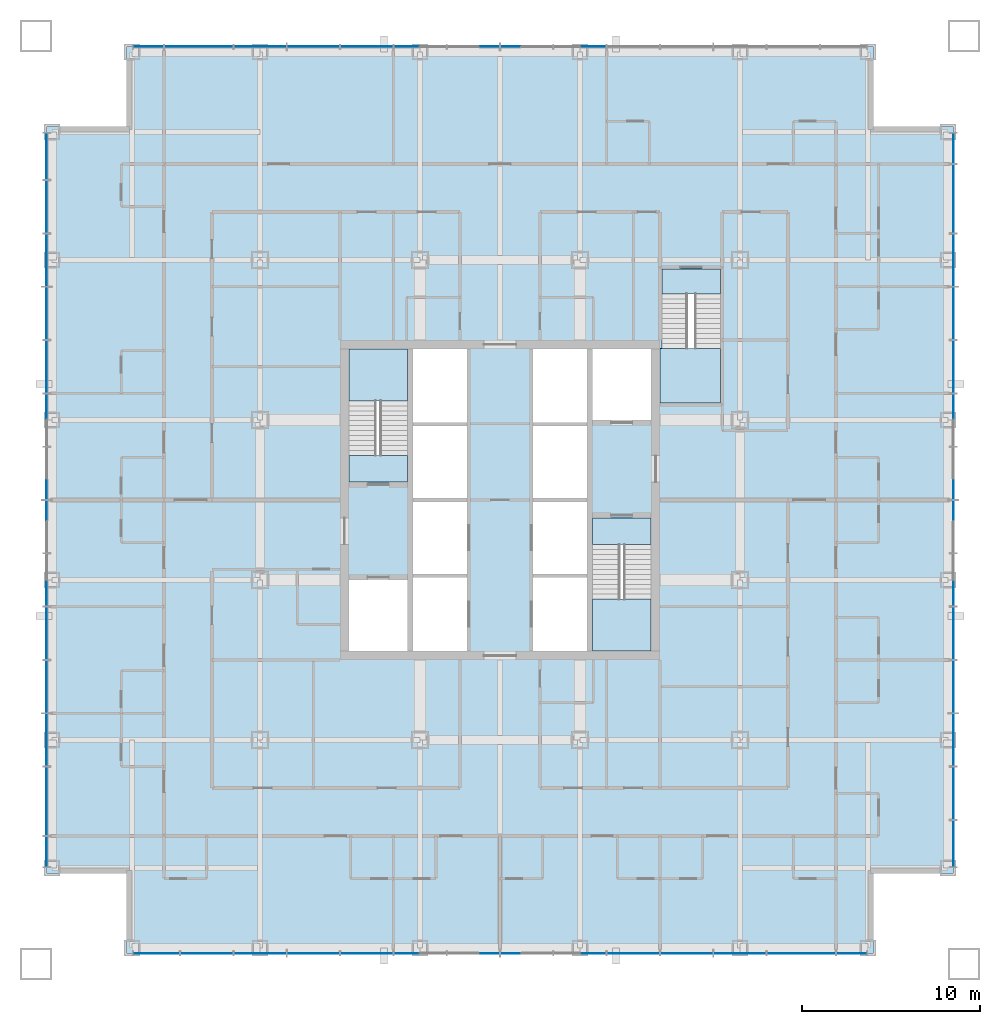
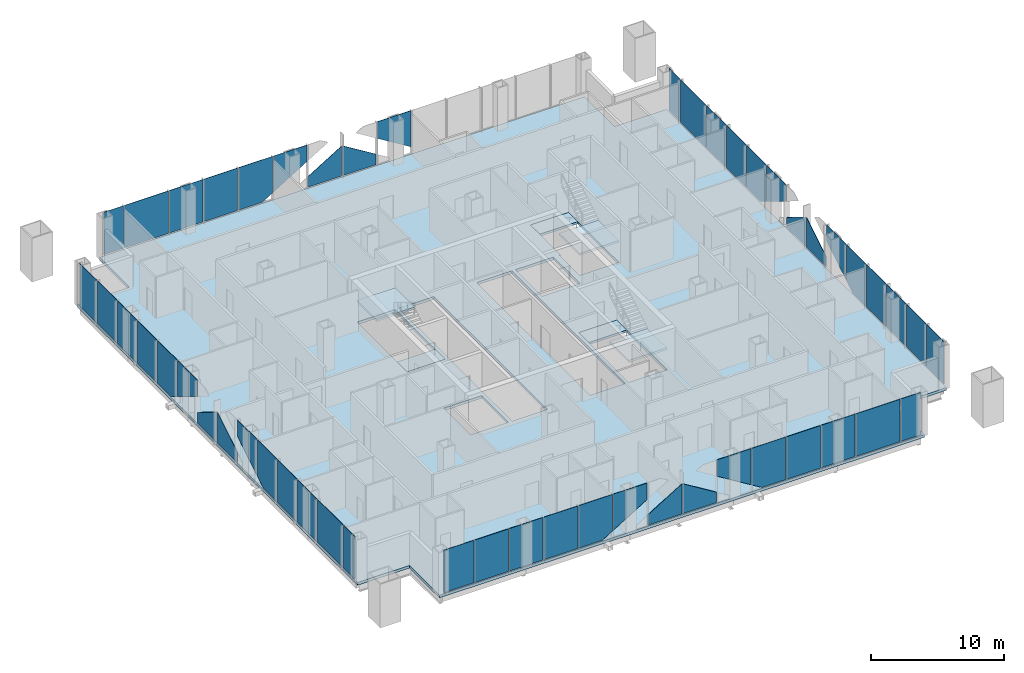
# One storey, part 6 of 13: 51 plates, 7 slabs, 7 elements without a shape of their own.
"""IFC4 building model written with IfcOpenShell, lengths in metres."""

from ifc_helpers import new_model, si_unit, direction, frame, origin, origin_2d, place, context, subcontext, project, spatial, polyline, rectangle, outline, extrude, material, layer, layer_set, type_object, element, aggregate, save


model = new_model("IFC4")

# Units and contexts
model_context = context("Model", 3, precision=1e-05, world=origin(), true_north=direction((0.0, 1.0)))
body_context = subcontext(model_context, "Body", "Model", "MODEL_VIEW")
ifc_project = project(units=[si_unit("LENGTHUNIT", "METRE"), si_unit("AREAUNIT", "SQUARE_METRE"), si_unit("VOLUMEUNIT", "CUBIC_METRE"), si_unit("PLANEANGLEUNIT", "RADIAN"), si_unit("MASSUNIT", "GRAM", prefix="KILO")], contexts=[model_context])

# Site, building, storey
site_placement = place(None, origin())
site = spatial("IfcSite", under=ifc_project, at=site_placement, CompositionType="ELEMENT")
building_placement = place(site_placement, origin())
building = spatial("IfcBuilding", under=site, at=building_placement, Name="Malebo Sky Hospital", CompositionType="ELEMENT")
storey_placement = place(building_placement, frame((0.0, 0.0, 75.0)))
storey = spatial("IfcBuildingStorey", under=building, at=storey_placement, Name="L17", CompositionType="ELEMENT", Elevation=75.0)

# Slab
ifc_material_1 = material(Name="Concrete C40/50", Category="concrete")
ifc_layer_1 = layer(ifc_material_1, 0.25)
ifc_layer_set_1 = layer_set([ifc_layer_1], Name="COMPOSITE FLOOR SLAB 250")
slab_type_1 = type_object("IfcSlabType", Name="COMPOSITE FLOOR SLAB 250", PredefinedType="FLOOR", material=ifc_layer_set_1)
slab_1_placement = place(storey_placement, frame((0.0, 0.0, -0.25)))
element("IfcSlab", 1, at=slab_1_placement, inside=storey, type_object=slab_type_1, Name="Floor slab L17", PredefinedType="FLOOR", context=body_context, shape_type="SweptSolid", body=[
    extrude(outline(polyline([(39.0, 87.5), (39.0, 83.0), (34.5, 83.0), (34.5, 41.0), (39.0, 41.0), (39.0, 36.5), (81.0, 36.5), (81.0, 41.0), (85.5, 41.0), (85.5, 83.0), (81.0, 83.0), (81.0, 87.5), (39.0, 87.5)]), holes=[polyline([(55.10009765625, 70.5), (58.14990234375, 70.5), (58.14990234375, 53.5), (55.10009765625, 53.5), (55.10009765625, 70.5)]), polyline([(64.89990234375, 70.5), (64.89990234375, 53.5), (61.85009765625, 53.5), (61.85009765625, 70.5), (64.89990234375, 70.5)]), polyline([(54.800048828125, 63.0), (51.5, 63.0), (51.5, 70.5), (54.800048828125, 70.5), (54.800048828125, 63.0)]), polyline([(51.5, 53.5), (51.5, 57.5), (54.800048828125, 57.5), (54.800048828125, 53.5), (51.5, 53.5)]), polyline([(65.199951171875, 61.0), (68.5, 61.0), (68.5, 53.5), (65.199951171875, 53.5), (65.199951171875, 61.0)]), polyline([(68.5, 70.5), (68.5, 66.5), (65.199951171875, 66.5), (65.199951171875, 70.5), (68.5, 70.5)]), polyline([(69.0, 67.449951171875), (69.0, 70.52001953125), (69.10009765625, 70.52001953125), (69.10009765625, 75.0), (72.39990234375, 75.0), (72.39990234375, 67.449951171875), (69.10009765625, 67.449951171875), (69.0, 67.449951171875)])]), origin(), (0.0, 0.0, 1.0), 0.25),
])

# Stair, slabs
stair_type_1 = type_object("IfcStairType", Name="HALF-TURN STAIR 1500 R167", PredefinedType="HALF_TURN_STAIR", material=ifc_material_1)
stair_1_placement = place(storey_placement, origin())
stair_1 = element("IfcStair", 2, at=stair_1_placement, inside=storey, type_object=stair_type_1, Name="Stair S1 L17 type ST1", PredefinedType="HALF_TURN_STAIR")
ifc_layer_2 = layer(ifc_material_1, 0.199951171875)
ifc_layer_set_2 = layer_set([ifc_layer_2], Name="STAIR LANDING 200")
slab_type_2 = type_object("IfcSlabType", Name="STAIR LANDING 200", PredefinedType="LANDING", material=ifc_layer_set_2)
slab_2_placement = place(storey_placement, frame((0.0, 0.0, -0.199951171875)))
slab_2 = element("IfcSlab", 3, at=slab_2_placement, type_object=slab_type_2, Name="S1 landing 1", PredefinedType="LANDING", context=body_context, shape_type="SweptSolid", body=[
    extrude(outline(polyline([(51.5, 63.0), (54.800048828125, 63.0), (54.800048828125, 64.5), (51.5, 64.5), (51.5, 63.0)])), origin(), (0.0, 0.0, 1.0), 0.199951171875),
])
slab_3_placement = place(storey_placement, frame((0.0, 0.0, 1.800048828125)))
slab_3 = element("IfcSlab", 4, at=slab_3_placement, type_object=slab_type_2, Name="S1 landing 2", PredefinedType="LANDING", context=body_context, shape_type="SweptSolid", body=[
    extrude(outline(polyline([(51.5, 67.580078125), (54.800048828125, 67.580078125), (54.800048828125, 70.5), (51.5, 70.5), (51.5, 67.580078125)])), origin(), (0.0, 0.0, 1.0), 0.199951171875),
])
aggregate(stair_1, [slab_2, slab_3])

stair_2_placement = place(storey_placement, origin())
stair_2 = element("IfcStair", 5, at=stair_2_placement, inside=storey, type_object=stair_type_1, Name="Stair S2 L17 type ST1", PredefinedType="HALF_TURN_STAIR")
slab_4_placement = place(storey_placement, frame((0.0, 0.0, -0.199951171875)))
slab_4 = element("IfcSlab", 6, at=slab_4_placement, type_object=slab_type_2, Name="S2 landing 1", PredefinedType="LANDING", context=body_context, shape_type="SweptSolid", body=[
    extrude(outline(polyline([(65.199951171875, 59.5), (68.5, 59.5), (68.5, 61.0), (65.199951171875, 61.0), (65.199951171875, 59.5)])), origin(), (0.0, 0.0, 1.0), 0.199951171875),
])
slab_5_placement = place(storey_placement, frame((0.0, 0.0, 1.800048828125)))
slab_5 = element("IfcSlab", 7, at=slab_5_placement, type_object=slab_type_2, Name="S2 landing 2", PredefinedType="LANDING", context=body_context, shape_type="SweptSolid", body=[
    extrude(outline(polyline([(65.199951171875, 53.5), (68.5, 53.5), (68.5, 56.419921875), (65.199951171875, 56.419921875), (65.199951171875, 53.5)])), origin(), (0.0, 0.0, 1.0), 0.199951171875),
])
aggregate(stair_2, [slab_4, slab_5])

stair_type_2 = type_object("IfcStairType", Name="HALF-TURN STAIR 1400 R167", PredefinedType="HALF_TURN_STAIR", material=ifc_material_1)
stair_3_placement = place(storey_placement, origin())
stair_3 = element("IfcStair", 8, at=stair_3_placement, inside=storey, type_object=stair_type_2, Name="Stair S3 L17 type ST1B", PredefinedType="HALF_TURN_STAIR")
slab_6_placement = place(storey_placement, frame((0.0, 0.0, -0.199951171875)))
slab_6 = element("IfcSlab", 9, at=slab_6_placement, type_object=slab_type_2, Name="S3 landing 1", PredefinedType="LANDING", context=body_context, shape_type="SweptSolid", body=[
    extrude(outline(polyline([(69.10009765625, 73.60009765625), (72.39990234375, 73.60009765625), (72.39990234375, 75.0), (69.10009765625, 75.0), (69.10009765625, 73.60009765625)])), origin(), (0.0, 0.0, 1.0), 0.199951171875),
])
slab_7_placement = place(storey_placement, frame((0.0, 0.0, 1.800048828125)))
slab_7 = element("IfcSlab", 10, at=slab_7_placement, type_object=slab_type_2, Name="S3 landing 2", PredefinedType="LANDING", context=body_context, shape_type="SweptSolid", body=[
    extrude(outline(polyline([(69.0, 67.449951171875), (72.39990234375, 67.449951171875), (72.39990234375, 70.52001953125), (69.0, 70.52001953125), (69.0, 67.449951171875)])), origin(), (0.0, 0.0, 1.0), 0.199951171875),
])
aggregate(stair_3, [slab_6, slab_7])

# Curtain wall, plates
ifc_material_2 = material(Name="Anodised aluminium, natural silver", Category="aluminium")
ifc_layer_3 = layer(ifc_material_2, 0.25)
ifc_layer_set_3 = layer_set([ifc_layer_3], Name="WARD CURTAIN WALL NORTH AND SOUTH")
curtain_wall_type_1 = type_object("IfcCurtainWallType", Name="WARD CURTAIN WALL NORTH AND SOUTH", PredefinedType="NOTDEFINED", material=ifc_layer_set_3)
curtain_wall_1_placement = place(storey_placement, origin())
curtain_wall_1 = element("IfcCurtainWall", 11, at=curtain_wall_1_placement, inside=storey, type_object=curtain_wall_type_1, Name="NS curtain wall N", PredefinedType="NOTDEFINED")
ifc_material_3 = material(Name="Clear low-iron double glazing", Category="glass")
ifc_layer_4 = layer(ifc_material_3, 0.031982421875)
ifc_layer_set_4 = layer_set([ifc_layer_4], Name="VISION PANEL CLEAR 32")
plate_type = type_object("IfcPlateType", Name="VISION PANEL CLEAR 32", PredefinedType="CURTAIN_PANEL", material=ifc_layer_set_4)
plate_1_placement = place(storey_placement, frame((40.21875, 87.5, 0.10009765625), z_axis=(0.0, 0.0, 1.0), x_axis=(1.0, 0.0, 0.0)))
plate_1 = element("IfcPlate", 12, at=plate_1_placement, type_object=plate_type, Name="Panel 1", PredefinedType="CURTAIN_PANEL", context=body_context, shape_type="SweptSolid", body=[
    extrude(rectangle(XDim=1.6875, YDim=0.031982421875, at=origin_2d()), origin(), (0.0, 0.0, 1.0), 3.889892578125),
])
plate_2_placement = place(storey_placement, frame((43.050048828125, 87.5, 0.10009765625), z_axis=(0.0, 0.0, 1.0), x_axis=(1.0, 0.0, 0.0)))
plate_2 = element("IfcPlate", 13, at=plate_2_placement, type_object=plate_type, Name="Panel 2", PredefinedType="CURTAIN_PANEL", context=body_context, shape_type="SweptSolid", body=[
    extrude(rectangle(XDim=3.824951171875, YDim=0.031982421875, at=origin_2d()), origin(), (0.0, 0.0, 1.0), 3.889892578125),
])
plate_3_placement = place(storey_placement, frame((46.5, 87.5, 0.10009765625), z_axis=(0.0, 0.0, 1.0), x_axis=(1.0, 0.0, 0.0)))
plate_3 = element("IfcPlate", 14, at=plate_3_placement, type_object=plate_type, Name="Panel 3", PredefinedType="CURTAIN_PANEL", context=body_context, shape_type="SweptSolid", body=[
    extrude(rectangle(XDim=2.925048828125, YDim=0.031982421875, at=origin_2d()), origin(), (0.0, 0.0, 1.0), 3.889892578125),
])
plate_4_placement = place(storey_placement, frame((49.5, 87.5, 0.10009765625), z_axis=(0.0, 0.0, 1.0), x_axis=(1.0, 0.0, 0.0)))
plate_4 = element("IfcPlate", 15, at=plate_4_placement, type_object=plate_type, Name="Panel 4", PredefinedType="CURTAIN_PANEL", context=body_context, shape_type="SweptSolid", body=[
    extrude(rectangle(XDim=2.925048828125, YDim=0.031982421875, at=origin_2d()), origin(), (0.0, 0.0, 1.0), 3.889892578125),
])
plate_5_placement = place(storey_placement, frame((52.5, 87.5, 0.10009765625), z_axis=(0.0, 0.0, 1.0), x_axis=(1.0, 0.0, 0.0)))
plate_5 = element("IfcPlate", 16, at=plate_5_placement, type_object=plate_type, Name="Panel 5", PredefinedType="CURTAIN_PANEL", context=body_context, shape_type="SweptSolid", body=[
    extrude(outline(polyline([(-1.46240234375, 0.0), (0.593505859375, 0.0), (1.46240234375, 0.53271484375), (1.46240234375, 3.889892578125), (-1.46240234375, 3.889892578125), (-1.46240234375, 0.0)])), frame((0.0, 0.01611328125, 0.0), z_axis=(0.0, -1.0, 0.0), x_axis=(1.0, 0.0, 0.0)), (0.0, 0.0, 1.0), 0.031982421875),
])
plate_6_placement = place(storey_placement, frame((55.5, 87.5, 0.6787109375), z_axis=(0.0, 0.0, 1.0), x_axis=(1.0, 0.0, 0.0)))
plate_6 = element("IfcPlate", 17, at=plate_6_placement, type_object=plate_type, Name="Panel 6", PredefinedType="CURTAIN_PANEL", context=body_context, shape_type="SweptSolid", body=[
    extrude(outline(polyline([(-1.46240234375, 0.0), (1.46240234375, 1.793212890625), (1.46240234375, 3.311279296875), (-1.46240234375, 3.311279296875), (-1.46240234375, 0.0)])), frame((0.0, 0.01611328125, 0.0), z_axis=(0.0, -1.0, 0.0), x_axis=(1.0, 0.0, 0.0)), (0.0, 0.0, 1.0), 0.031982421875),
])
plate_7_placement = place(storey_placement, frame((58.5, 87.5, 0.10009765625), z_axis=(0.0, 0.0, 1.0), x_axis=(1.0, 0.0, 0.0)))
plate_7 = element("IfcPlate", 18, at=plate_7_placement, type_object=plate_type, Name="Panel 7", PredefinedType="CURTAIN_PANEL", context=body_context, shape_type="SweptSolid", body=[
    extrude(outline(polyline([(-1.46240234375, 0.0), (1.46240234375, 0.0), (1.46240234375, 2.743408203125), (-1.46240234375, 0.9501953125), (-1.46240234375, 0.0)])), frame((0.0, 0.01611328125, 0.0), z_axis=(0.0, -1.0, 0.0), x_axis=(1.0, 0.0, 0.0)), (0.0, 0.0, 1.0), 0.031982421875),
])
plate_8_placement = place(storey_placement, frame((61.5, 87.5, 0.10009765625), z_axis=(0.0, 0.0, 1.0), x_axis=(1.0, 0.0, 0.0)))
plate_8 = element("IfcPlate", 19, at=plate_8_placement, type_object=plate_type, Name="Panel 8", PredefinedType="CURTAIN_PANEL", context=body_context, shape_type="SweptSolid", body=[
    extrude(outline(polyline([(-1.46240234375, 0.0), (1.46240234375, 0.0), (1.46240234375, 0.9501953125), (-1.46240234375, 2.743408203125), (-1.46240234375, 0.0)])), frame((0.0, 0.01611328125, 0.0), z_axis=(0.0, -1.0, 0.0), x_axis=(1.0, 0.0, 0.0)), (0.0, 0.0, 1.0), 0.031982421875),
])
plate_9_placement = place(storey_placement, frame((64.5, 87.5, 0.6787109375), z_axis=(0.0, 0.0, 1.0), x_axis=(1.0, 0.0, 0.0)))
plate_9 = element("IfcPlate", 20, at=plate_9_placement, type_object=plate_type, Name="Panel 9", PredefinedType="CURTAIN_PANEL", context=body_context, shape_type="SweptSolid", body=[
    extrude(outline(polyline([(1.46240234375, 0.0), (1.46240234375, 3.311279296875), (-1.46240234375, 3.311279296875), (-1.46240234375, 1.793212890625), (1.46240234375, 0.0)])), frame((0.0, 0.01611328125, 0.0), z_axis=(0.0, -1.0, 0.0), x_axis=(1.0, 0.0, 0.0)), (0.0, 0.0, 1.0), 0.031982421875),
])
aggregate(curtain_wall_1, [plate_1, plate_2, plate_3, plate_4, plate_5, plate_6, plate_7, plate_8, plate_9])

ifc_layer_5 = layer(ifc_material_2, 0.25)
ifc_layer_set_5 = layer_set([ifc_layer_5], Name="WARD CURTAIN WALL EAST AND WEST")
curtain_wall_type_2 = type_object("IfcCurtainWallType", Name="WARD CURTAIN WALL EAST AND WEST", PredefinedType="NOTDEFINED", material=ifc_layer_set_5)
curtain_wall_2_placement = place(storey_placement, origin())
curtain_wall_2 = element("IfcCurtainWall", 21, at=curtain_wall_2_placement, inside=storey, type_object=curtain_wall_type_2, Name="EW curtain wall W", PredefinedType="NOTDEFINED")
plate_10_placement = place(storey_placement, frame((34.5, 42.21875, 0.10009765625), z_axis=(0.0, 0.0, 1.0), x_axis=(0.0, 1.0, 0.0)))
plate_10 = element("IfcPlate", 22, at=plate_10_placement, type_object=plate_type, Name="Panel 1", PredefinedType="CURTAIN_PANEL", context=body_context, shape_type="SweptSolid", body=[
    extrude(rectangle(XDim=1.6875, YDim=0.031982421875, at=origin_2d()), origin(), (0.0, 0.0, 1.0), 3.889892578125),
])
plate_11_placement = place(storey_placement, frame((34.5, 45.050048828125, 0.10009765625), z_axis=(0.0, 0.0, 1.0), x_axis=(0.0, 1.0, 0.0)))
plate_11 = element("IfcPlate", 23, at=plate_11_placement, type_object=plate_type, Name="Panel 2", PredefinedType="CURTAIN_PANEL", context=body_context, shape_type="SweptSolid", body=[
    extrude(rectangle(XDim=3.824951171875, YDim=0.031982421875, at=origin_2d()), origin(), (0.0, 0.0, 1.0), 3.889892578125),
])
plate_12_placement = place(storey_placement, frame((34.5, 48.5, 0.10009765625), z_axis=(0.0, 0.0, 1.0), x_axis=(0.0, 1.0, 0.0)))
plate_12 = element("IfcPlate", 24, at=plate_12_placement, type_object=plate_type, Name="Panel 3", PredefinedType="CURTAIN_PANEL", context=body_context, shape_type="SweptSolid", body=[
    extrude(rectangle(XDim=2.925048828125, YDim=0.031982421875, at=origin_2d()), origin(), (0.0, 0.0, 1.0), 3.889892578125),
])
plate_13_placement = place(storey_placement, frame((34.5, 51.5, 0.10009765625), z_axis=(0.0, 0.0, 1.0), x_axis=(0.0, 1.0, 0.0)))
plate_13 = element("IfcPlate", 25, at=plate_13_placement, type_object=plate_type, Name="Panel 4", PredefinedType="CURTAIN_PANEL", context=body_context, shape_type="SweptSolid", body=[
    extrude(rectangle(XDim=2.925048828125, YDim=0.031982421875, at=origin_2d()), origin(), (0.0, 0.0, 1.0), 3.889892578125),
])
plate_14_placement = place(storey_placement, frame((34.5, 54.5, 0.10009765625), z_axis=(0.0, 0.0, 1.0), x_axis=(0.0, 1.0, 0.0)))
plate_14 = element("IfcPlate", 26, at=plate_14_placement, type_object=plate_type, Name="Panel 5", PredefinedType="CURTAIN_PANEL", context=body_context, shape_type="SweptSolid", body=[
    extrude(outline(polyline([(-1.46240234375, 0.0), (0.593505859375, 0.0), (1.46240234375, 0.53271484375), (1.46240234375, 3.889892578125), (-1.46240234375, 3.889892578125), (-1.46240234375, 0.0)])), frame((0.0, 0.01611328125, 0.0), z_axis=(0.0, -1.0, 0.0), x_axis=(1.0, 0.0, 0.0)), (0.0, 0.0, 1.0), 0.031982421875),
])
plate_15_placement = place(storey_placement, frame((34.5, 57.5, 0.6787109375), z_axis=(0.0, 0.0, 1.0), x_axis=(0.0, 1.0, 0.0)))
plate_15 = element("IfcPlate", 27, at=plate_15_placement, type_object=plate_type, Name="Panel 6", PredefinedType="CURTAIN_PANEL", context=body_context, shape_type="SweptSolid", body=[
    extrude(outline(polyline([(-1.46240234375, 0.0), (1.46240234375, 1.793212890625), (1.46240234375, 3.311279296875), (-1.46240234375, 3.311279296875), (-1.46240234375, 0.0)])), frame((0.0, 0.01611328125, 0.0), z_axis=(0.0, -1.0, 0.0), x_axis=(1.0, 0.0, 0.0)), (0.0, 0.0, 1.0), 0.031982421875),
])
plate_16_placement = place(storey_placement, frame((34.5, 60.5, 0.10009765625), z_axis=(0.0, 0.0, 1.0), x_axis=(0.0, 1.0, 0.0)))
plate_16 = element("IfcPlate", 28, at=plate_16_placement, type_object=plate_type, Name="Panel 7", PredefinedType="CURTAIN_PANEL", context=body_context, shape_type="SweptSolid", body=[
    extrude(outline(polyline([(-1.46240234375, 0.0), (1.46240234375, 0.0), (1.46240234375, 2.743408203125), (-1.46240234375, 0.9501953125), (-1.46240234375, 0.0)])), frame((0.0, 0.01611328125, 0.0), z_axis=(0.0, -1.0, 0.0), x_axis=(1.0, 0.0, 0.0)), (0.0, 0.0, 1.0), 0.031982421875),
])
plate_17_placement = place(storey_placement, frame((34.5, 63.5, 0.10009765625), z_axis=(0.0, 0.0, 1.0), x_axis=(0.0, 1.0, 0.0)))
plate_17 = element("IfcPlate", 29, at=plate_17_placement, type_object=plate_type, Name="Panel 8", PredefinedType="CURTAIN_PANEL", context=body_context, shape_type="SweptSolid", body=[
    extrude(outline(polyline([(-1.46240234375, 0.0), (1.46240234375, 0.0), (1.46240234375, 0.9501953125), (-1.46240234375, 2.743408203125), (-1.46240234375, 0.0)])), frame((0.0, 0.01611328125, 0.0), z_axis=(0.0, -1.0, 0.0), x_axis=(1.0, 0.0, 0.0)), (0.0, 0.0, 1.0), 0.031982421875),
])
plate_18_placement = place(storey_placement, frame((34.5, 66.5, 0.6787109375), z_axis=(0.0, 0.0, 1.0), x_axis=(0.0, 1.0, 0.0)))
plate_18 = element("IfcPlate", 30, at=plate_18_placement, type_object=plate_type, Name="Panel 9", PredefinedType="CURTAIN_PANEL", context=body_context, shape_type="SweptSolid", body=[
    extrude(outline(polyline([(1.46240234375, 0.0), (1.46240234375, 3.311279296875), (-1.46240234375, 3.311279296875), (-1.46240234375, 1.793212890625), (1.46240234375, 0.0)])), frame((0.0, 0.01611328125, 0.0), z_axis=(0.0, -1.0, 0.0), x_axis=(1.0, 0.0, 0.0)), (0.0, 0.0, 1.0), 0.031982421875),
])
plate_19_placement = place(storey_placement, frame((34.5, 69.5, 0.10009765625), z_axis=(0.0, 0.0, 1.0), x_axis=(0.0, 1.0, 0.0)))
plate_19 = element("IfcPlate", 31, at=plate_19_placement, type_object=plate_type, Name="Panel 10", PredefinedType="CURTAIN_PANEL", context=body_context, shape_type="SweptSolid", body=[
    extrude(outline(polyline([(-0.593505859375, 0.0), (1.46240234375, 0.0), (1.46240234375, 3.889892578125), (-1.46240234375, 3.889892578125), (-1.46240234375, 0.53271484375), (-0.593505859375, 0.0)])), frame((0.0, 0.01611328125, 0.0), z_axis=(0.0, -1.0, 0.0), x_axis=(1.0, 0.0, 0.0)), (0.0, 0.0, 1.0), 0.031982421875),
])
plate_20_placement = place(storey_placement, frame((34.5, 72.5, 0.10009765625), z_axis=(0.0, 0.0, 1.0), x_axis=(0.0, 1.0, 0.0)))
plate_20 = element("IfcPlate", 32, at=plate_20_placement, type_object=plate_type, Name="Panel 11", PredefinedType="CURTAIN_PANEL", context=body_context, shape_type="SweptSolid", body=[
    extrude(rectangle(XDim=2.925048828125, YDim=0.031982421875, at=origin_2d()), origin(), (0.0, 0.0, 1.0), 3.889892578125),
])
plate_21_placement = place(storey_placement, frame((34.5, 75.5, 0.10009765625), z_axis=(0.0, 0.0, 1.0), x_axis=(0.0, 1.0, 0.0)))
plate_21 = element("IfcPlate", 33, at=plate_21_placement, type_object=plate_type, Name="Panel 12", PredefinedType="CURTAIN_PANEL", context=body_context, shape_type="SweptSolid", body=[
    extrude(rectangle(XDim=2.925048828125, YDim=0.031982421875, at=origin_2d()), origin(), (0.0, 0.0, 1.0), 3.889892578125),
])
plate_22_placement = place(storey_placement, frame((34.5, 78.5, 0.10009765625), z_axis=(0.0, 0.0, 1.0), x_axis=(0.0, 1.0, 0.0)))
plate_22 = element("IfcPlate", 34, at=plate_22_placement, type_object=plate_type, Name="Panel 13", PredefinedType="CURTAIN_PANEL", context=body_context, shape_type="SweptSolid", body=[
    extrude(rectangle(XDim=2.925048828125, YDim=0.031982421875, at=origin_2d()), origin(), (0.0, 0.0, 1.0), 3.889892578125),
])
plate_23_placement = place(storey_placement, frame((34.5, 81.331298828125, 0.10009765625), z_axis=(0.0, 0.0, 1.0), x_axis=(0.0, 1.0, 0.0)))
plate_23 = element("IfcPlate", 35, at=plate_23_placement, type_object=plate_type, Name="Panel 14", PredefinedType="CURTAIN_PANEL", context=body_context, shape_type="SweptSolid", body=[
    extrude(rectangle(XDim=2.58740234375, YDim=0.031982421875, at=origin_2d()), origin(), (0.0, 0.0, 1.0), 3.889892578125),
])
aggregate(curtain_wall_2, [plate_10, plate_11, plate_12, plate_13, plate_14, plate_15, plate_16, plate_17, plate_18, plate_19, plate_20, plate_21, plate_22, plate_23])

curtain_wall_3_placement = place(storey_placement, origin())
curtain_wall_3 = element("IfcCurtainWall", 36, at=curtain_wall_3_placement, inside=storey, type_object=curtain_wall_type_1, Name="NS curtain wall S", PredefinedType="NOTDEFINED")
plate_24_placement = place(storey_placement, frame((79.78125, 36.5, 0.10009765625), z_axis=(0.0, 0.0, 1.0), x_axis=(-1.0, 0.0, 0.0)))
plate_24 = element("IfcPlate", 37, at=plate_24_placement, type_object=plate_type, Name="Panel 1", PredefinedType="CURTAIN_PANEL", context=body_context, shape_type="SweptSolid", body=[
    extrude(rectangle(XDim=1.6875, YDim=0.031982421875, at=origin_2d()), origin(), (0.0, 0.0, 1.0), 3.889892578125),
])
plate_25_placement = place(storey_placement, frame((76.949951171875, 36.5, 0.10009765625), z_axis=(0.0, 0.0, 1.0), x_axis=(-1.0, 0.0, 0.0)))
plate_25 = element("IfcPlate", 38, at=plate_25_placement, type_object=plate_type, Name="Panel 2", PredefinedType="CURTAIN_PANEL", context=body_context, shape_type="SweptSolid", body=[
    extrude(rectangle(XDim=3.824951171875, YDim=0.031982421875, at=origin_2d()), origin(), (0.0, 0.0, 1.0), 3.889892578125),
])
plate_26_placement = place(storey_placement, frame((73.5, 36.5, 0.10009765625), z_axis=(0.0, 0.0, 1.0), x_axis=(-1.0, 0.0, 0.0)))
plate_26 = element("IfcPlate", 39, at=plate_26_placement, type_object=plate_type, Name="Panel 3", PredefinedType="CURTAIN_PANEL", context=body_context, shape_type="SweptSolid", body=[
    extrude(rectangle(XDim=2.925048828125, YDim=0.031982421875, at=origin_2d()), origin(), (0.0, 0.0, 1.0), 3.889892578125),
])
plate_27_placement = place(storey_placement, frame((70.5, 36.5, 0.10009765625), z_axis=(0.0, 0.0, 1.0), x_axis=(-1.0, 0.0, 0.0)))
plate_27 = element("IfcPlate", 40, at=plate_27_placement, type_object=plate_type, Name="Panel 4", PredefinedType="CURTAIN_PANEL", context=body_context, shape_type="SweptSolid", body=[
    extrude(rectangle(XDim=2.925048828125, YDim=0.031982421875, at=origin_2d()), origin(), (0.0, 0.0, 1.0), 3.889892578125),
])
plate_28_placement = place(storey_placement, frame((67.5, 36.5, 0.10009765625), z_axis=(0.0, 0.0, 1.0), x_axis=(-1.0, 0.0, 0.0)))
plate_28 = element("IfcPlate", 41, at=plate_28_placement, type_object=plate_type, Name="Panel 5", PredefinedType="CURTAIN_PANEL", context=body_context, shape_type="SweptSolid", body=[
    extrude(outline(polyline([(-1.46240234375, 0.0), (0.593505859375, 0.0), (1.46240234375, 0.53271484375), (1.46240234375, 3.889892578125), (-1.46240234375, 3.889892578125), (-1.46240234375, 0.0)])), frame((0.0, 0.01611328125, 0.0), z_axis=(0.0, -1.0, 0.0), x_axis=(1.0, 0.0, 0.0)), (0.0, 0.0, 1.0), 0.031982421875),
])
plate_29_placement = place(storey_placement, frame((64.5, 36.5, 0.6787109375), z_axis=(0.0, 0.0, 1.0), x_axis=(-1.0, 0.0, 0.0)))
plate_29 = element("IfcPlate", 42, at=plate_29_placement, type_object=plate_type, Name="Panel 6", PredefinedType="CURTAIN_PANEL", context=body_context, shape_type="SweptSolid", body=[
    extrude(outline(polyline([(-1.46240234375, 0.0), (1.46240234375, 1.793212890625), (1.46240234375, 3.311279296875), (-1.46240234375, 3.311279296875), (-1.46240234375, 0.0)])), frame((0.0, 0.01611328125, 0.0), z_axis=(0.0, -1.0, 0.0), x_axis=(1.0, 0.0, 0.0)), (0.0, 0.0, 1.0), 0.031982421875),
])
plate_30_placement = place(storey_placement, frame((61.5, 36.5, 0.10009765625), z_axis=(0.0, 0.0, 1.0), x_axis=(-1.0, 0.0, 0.0)))
plate_30 = element("IfcPlate", 43, at=plate_30_placement, type_object=plate_type, Name="Panel 7", PredefinedType="CURTAIN_PANEL", context=body_context, shape_type="SweptSolid", body=[
    extrude(outline(polyline([(-1.46240234375, 0.0), (1.46240234375, 0.0), (1.46240234375, 2.743408203125), (-1.46240234375, 0.9501953125), (-1.46240234375, 0.0)])), frame((0.0, 0.01611328125, 0.0), z_axis=(0.0, -1.0, 0.0), x_axis=(1.0, 0.0, 0.0)), (0.0, 0.0, 1.0), 0.031982421875),
])
plate_31_placement = place(storey_placement, frame((58.5, 36.5, 0.10009765625), z_axis=(0.0, 0.0, 1.0), x_axis=(-1.0, 0.0, 0.0)))
plate_31 = element("IfcPlate", 44, at=plate_31_placement, type_object=plate_type, Name="Panel 8", PredefinedType="CURTAIN_PANEL", context=body_context, shape_type="SweptSolid", body=[
    extrude(outline(polyline([(-1.46240234375, 0.0), (1.46240234375, 0.0), (1.46240234375, 0.9501953125), (-1.46240234375, 2.743408203125), (-1.46240234375, 0.0)])), frame((0.0, 0.01611328125, 0.0), z_axis=(0.0, -1.0, 0.0), x_axis=(1.0, 0.0, 0.0)), (0.0, 0.0, 1.0), 0.031982421875),
])
plate_32_placement = place(storey_placement, frame((55.5, 36.5, 0.6787109375), z_axis=(0.0, 0.0, 1.0), x_axis=(-1.0, 0.0, 0.0)))
plate_32 = element("IfcPlate", 45, at=plate_32_placement, type_object=plate_type, Name="Panel 9", PredefinedType="CURTAIN_PANEL", context=body_context, shape_type="SweptSolid", body=[
    extrude(outline(polyline([(1.46240234375, 0.0), (1.46240234375, 3.311279296875), (-1.46240234375, 3.311279296875), (-1.46240234375, 1.793212890625), (1.46240234375, 0.0)])), frame((0.0, 0.01611328125, 0.0), z_axis=(0.0, -1.0, 0.0), x_axis=(1.0, 0.0, 0.0)), (0.0, 0.0, 1.0), 0.031982421875),
])
plate_33_placement = place(storey_placement, frame((52.5, 36.5, 0.10009765625), z_axis=(0.0, 0.0, 1.0), x_axis=(-1.0, 0.0, 0.0)))
plate_33 = element("IfcPlate", 46, at=plate_33_placement, type_object=plate_type, Name="Panel 10", PredefinedType="CURTAIN_PANEL", context=body_context, shape_type="SweptSolid", body=[
    extrude(outline(polyline([(-0.593505859375, 0.0), (1.46240234375, 0.0), (1.46240234375, 3.889892578125), (-1.46240234375, 3.889892578125), (-1.46240234375, 0.53271484375), (-0.593505859375, 0.0)])), frame((0.0, 0.01611328125, 0.0), z_axis=(0.0, -1.0, 0.0), x_axis=(1.0, 0.0, 0.0)), (0.0, 0.0, 1.0), 0.031982421875),
])
plate_34_placement = place(storey_placement, frame((49.5, 36.5, 0.10009765625), z_axis=(0.0, 0.0, 1.0), x_axis=(-1.0, 0.0, 0.0)))
plate_34 = element("IfcPlate", 47, at=plate_34_placement, type_object=plate_type, Name="Panel 11", PredefinedType="CURTAIN_PANEL", context=body_context, shape_type="SweptSolid", body=[
    extrude(rectangle(XDim=2.925048828125, YDim=0.031982421875, at=origin_2d()), origin(), (0.0, 0.0, 1.0), 3.889892578125),
])
plate_35_placement = place(storey_placement, frame((46.5, 36.5, 0.10009765625), z_axis=(0.0, 0.0, 1.0), x_axis=(-1.0, 0.0, 0.0)))
plate_35 = element("IfcPlate", 48, at=plate_35_placement, type_object=plate_type, Name="Panel 12", PredefinedType="CURTAIN_PANEL", context=body_context, shape_type="SweptSolid", body=[
    extrude(rectangle(XDim=2.925048828125, YDim=0.031982421875, at=origin_2d()), origin(), (0.0, 0.0, 1.0), 3.889892578125),
])
plate_36_placement = place(storey_placement, frame((43.5, 36.5, 0.10009765625), z_axis=(0.0, 0.0, 1.0), x_axis=(-1.0, 0.0, 0.0)))
plate_36 = element("IfcPlate", 49, at=plate_36_placement, type_object=plate_type, Name="Panel 13", PredefinedType="CURTAIN_PANEL", context=body_context, shape_type="SweptSolid", body=[
    extrude(rectangle(XDim=2.925048828125, YDim=0.031982421875, at=origin_2d()), origin(), (0.0, 0.0, 1.0), 3.889892578125),
])
plate_37_placement = place(storey_placement, frame((40.668701171875, 36.5, 0.10009765625), z_axis=(0.0, 0.0, 1.0), x_axis=(-1.0, 0.0, 0.0)))
plate_37 = element("IfcPlate", 50, at=plate_37_placement, type_object=plate_type, Name="Panel 14", PredefinedType="CURTAIN_PANEL", context=body_context, shape_type="SweptSolid", body=[
    extrude(rectangle(XDim=2.58740234375, YDim=0.031982421875, at=origin_2d()), origin(), (0.0, 0.0, 1.0), 3.889892578125),
])
aggregate(curtain_wall_3, [plate_24, plate_25, plate_26, plate_27, plate_28, plate_29, plate_30, plate_31, plate_32, plate_33, plate_34, plate_35, plate_36, plate_37])

curtain_wall_4_placement = place(storey_placement, origin())
curtain_wall_4 = element("IfcCurtainWall", 51, at=curtain_wall_4_placement, inside=storey, type_object=curtain_wall_type_2, Name="EW curtain wall E", PredefinedType="NOTDEFINED")
plate_38_placement = place(storey_placement, frame((85.5, 81.78125, 0.10009765625), z_axis=(0.0, 0.0, 1.0), x_axis=(0.0, -1.0, 0.0)))
plate_38 = element("IfcPlate", 52, at=plate_38_placement, type_object=plate_type, Name="Panel 1", PredefinedType="CURTAIN_PANEL", context=body_context, shape_type="SweptSolid", body=[
    extrude(rectangle(XDim=1.6875, YDim=0.031982421875, at=origin_2d()), origin(), (0.0, 0.0, 1.0), 3.889892578125),
])
plate_39_placement = place(storey_placement, frame((85.5, 78.949951171875, 0.10009765625), z_axis=(0.0, 0.0, 1.0), x_axis=(0.0, -1.0, 0.0)))
plate_39 = element("IfcPlate", 53, at=plate_39_placement, type_object=plate_type, Name="Panel 2", PredefinedType="CURTAIN_PANEL", context=body_context, shape_type="SweptSolid", body=[
    extrude(rectangle(XDim=3.824951171875, YDim=0.031982421875, at=origin_2d()), origin(), (0.0, 0.0, 1.0), 3.889892578125),
])
plate_40_placement = place(storey_placement, frame((85.5, 75.5, 0.10009765625), z_axis=(0.0, 0.0, 1.0), x_axis=(0.0, -1.0, 0.0)))
plate_40 = element("IfcPlate", 54, at=plate_40_placement, type_object=plate_type, Name="Panel 3", PredefinedType="CURTAIN_PANEL", context=body_context, shape_type="SweptSolid", body=[
    extrude(rectangle(XDim=2.925048828125, YDim=0.031982421875, at=origin_2d()), origin(), (0.0, 0.0, 1.0), 3.889892578125),
])
plate_41_placement = place(storey_placement, frame((85.5, 72.5, 0.10009765625), z_axis=(0.0, 0.0, 1.0), x_axis=(0.0, -1.0, 0.0)))
plate_41 = element("IfcPlate", 55, at=plate_41_placement, type_object=plate_type, Name="Panel 4", PredefinedType="CURTAIN_PANEL", context=body_context, shape_type="SweptSolid", body=[
    extrude(rectangle(XDim=2.925048828125, YDim=0.031982421875, at=origin_2d()), origin(), (0.0, 0.0, 1.0), 3.889892578125),
])
plate_42_placement = place(storey_placement, frame((85.5, 69.5, 0.10009765625), z_axis=(0.0, 0.0, 1.0), x_axis=(0.0, -1.0, 0.0)))
plate_42 = element("IfcPlate", 56, at=plate_42_placement, type_object=plate_type, Name="Panel 5", PredefinedType="CURTAIN_PANEL", context=body_context, shape_type="SweptSolid", body=[
    extrude(outline(polyline([(-1.46240234375, 0.0), (0.593505859375, 0.0), (1.46240234375, 0.53271484375), (1.46240234375, 3.889892578125), (-1.46240234375, 3.889892578125), (-1.46240234375, 0.0)])), frame((0.0, 0.01611328125, 0.0), z_axis=(0.0, -1.0, 0.0), x_axis=(1.0, 0.0, 0.0)), (0.0, 0.0, 1.0), 0.031982421875),
])
plate_43_placement = place(storey_placement, frame((85.5, 66.5, 0.6787109375), z_axis=(0.0, 0.0, 1.0), x_axis=(0.0, -1.0, 0.0)))
plate_43 = element("IfcPlate", 57, at=plate_43_placement, type_object=plate_type, Name="Panel 6", PredefinedType="CURTAIN_PANEL", context=body_context, shape_type="SweptSolid", body=[
    extrude(outline(polyline([(-1.46240234375, 0.0), (1.46240234375, 1.793212890625), (1.46240234375, 3.311279296875), (-1.46240234375, 3.311279296875), (-1.46240234375, 0.0)])), frame((0.0, 0.01611328125, 0.0), z_axis=(0.0, -1.0, 0.0), x_axis=(1.0, 0.0, 0.0)), (0.0, 0.0, 1.0), 0.031982421875),
])
plate_44_placement = place(storey_placement, frame((85.5, 63.5, 0.10009765625), z_axis=(0.0, 0.0, 1.0), x_axis=(0.0, -1.0, 0.0)))
plate_44 = element("IfcPlate", 58, at=plate_44_placement, type_object=plate_type, Name="Panel 7", PredefinedType="CURTAIN_PANEL", context=body_context, shape_type="SweptSolid", body=[
    extrude(outline(polyline([(-1.46240234375, 0.0), (1.46240234375, 0.0), (1.46240234375, 2.743408203125), (-1.46240234375, 0.9501953125), (-1.46240234375, 0.0)])), frame((0.0, 0.01611328125, 0.0), z_axis=(0.0, -1.0, 0.0), x_axis=(1.0, 0.0, 0.0)), (0.0, 0.0, 1.0), 0.031982421875),
])
plate_45_placement = place(storey_placement, frame((85.5, 60.5, 0.10009765625), z_axis=(0.0, 0.0, 1.0), x_axis=(0.0, -1.0, 0.0)))
plate_45 = element("IfcPlate", 59, at=plate_45_placement, type_object=plate_type, Name="Panel 8", PredefinedType="CURTAIN_PANEL", context=body_context, shape_type="SweptSolid", body=[
    extrude(outline(polyline([(-1.46240234375, 0.0), (1.46240234375, 0.0), (1.46240234375, 0.9501953125), (-1.46240234375, 2.743408203125), (-1.46240234375, 0.0)])), frame((0.0, 0.01611328125, 0.0), z_axis=(0.0, -1.0, 0.0), x_axis=(1.0, 0.0, 0.0)), (0.0, 0.0, 1.0), 0.031982421875),
])
plate_46_placement = place(storey_placement, frame((85.5, 57.5, 0.6787109375), z_axis=(0.0, 0.0, 1.0), x_axis=(0.0, -1.0, 0.0)))
plate_46 = element("IfcPlate", 60, at=plate_46_placement, type_object=plate_type, Name="Panel 9", PredefinedType="CURTAIN_PANEL", context=body_context, shape_type="SweptSolid", body=[
    extrude(outline(polyline([(1.46240234375, 0.0), (1.46240234375, 3.311279296875), (-1.46240234375, 3.311279296875), (-1.46240234375, 1.793212890625), (1.46240234375, 0.0)])), frame((0.0, 0.01611328125, 0.0), z_axis=(0.0, -1.0, 0.0), x_axis=(1.0, 0.0, 0.0)), (0.0, 0.0, 1.0), 0.031982421875),
])
plate_47_placement = place(storey_placement, frame((85.5, 54.5, 0.10009765625), z_axis=(0.0, 0.0, 1.0), x_axis=(0.0, -1.0, 0.0)))
plate_47 = element("IfcPlate", 61, at=plate_47_placement, type_object=plate_type, Name="Panel 10", PredefinedType="CURTAIN_PANEL", context=body_context, shape_type="SweptSolid", body=[
    extrude(outline(polyline([(-0.593505859375, 0.0), (1.46240234375, 0.0), (1.46240234375, 3.889892578125), (-1.46240234375, 3.889892578125), (-1.46240234375, 0.53271484375), (-0.593505859375, 0.0)])), frame((0.0, 0.01611328125, 0.0), z_axis=(0.0, -1.0, 0.0), x_axis=(1.0, 0.0, 0.0)), (0.0, 0.0, 1.0), 0.031982421875),
])
plate_48_placement = place(storey_placement, frame((85.5, 51.5, 0.10009765625), z_axis=(0.0, 0.0, 1.0), x_axis=(0.0, -1.0, 0.0)))
plate_48 = element("IfcPlate", 62, at=plate_48_placement, type_object=plate_type, Name="Panel 11", PredefinedType="CURTAIN_PANEL", context=body_context, shape_type="SweptSolid", body=[
    extrude(rectangle(XDim=2.925048828125, YDim=0.031982421875, at=origin_2d()), origin(), (0.0, 0.0, 1.0), 3.889892578125),
])
plate_49_placement = place(storey_placement, frame((85.5, 48.5, 0.10009765625), z_axis=(0.0, 0.0, 1.0), x_axis=(0.0, -1.0, 0.0)))
plate_49 = element("IfcPlate", 63, at=plate_49_placement, type_object=plate_type, Name="Panel 12", PredefinedType="CURTAIN_PANEL", context=body_context, shape_type="SweptSolid", body=[
    extrude(rectangle(XDim=2.925048828125, YDim=0.031982421875, at=origin_2d()), origin(), (0.0, 0.0, 1.0), 3.889892578125),
])
plate_50_placement = place(storey_placement, frame((85.5, 45.5, 0.10009765625), z_axis=(0.0, 0.0, 1.0), x_axis=(0.0, -1.0, 0.0)))
plate_50 = element("IfcPlate", 64, at=plate_50_placement, type_object=plate_type, Name="Panel 13", PredefinedType="CURTAIN_PANEL", context=body_context, shape_type="SweptSolid", body=[
    extrude(rectangle(XDim=2.925048828125, YDim=0.031982421875, at=origin_2d()), origin(), (0.0, 0.0, 1.0), 3.889892578125),
])
plate_51_placement = place(storey_placement, frame((85.5, 42.668701171875, 0.10009765625), z_axis=(0.0, 0.0, 1.0), x_axis=(0.0, -1.0, 0.0)))
plate_51 = element("IfcPlate", 65, at=plate_51_placement, type_object=plate_type, Name="Panel 14", PredefinedType="CURTAIN_PANEL", context=body_context, shape_type="SweptSolid", body=[
    extrude(rectangle(XDim=2.58740234375, YDim=0.031982421875, at=origin_2d()), origin(), (0.0, 0.0, 1.0), 3.889892578125),
])
aggregate(curtain_wall_4, [plate_38, plate_39, plate_40, plate_41, plate_42, plate_43, plate_44, plate_45, plate_46, plate_47, plate_48, plate_49, plate_50, plate_51])

save(model, "model.ifc")
